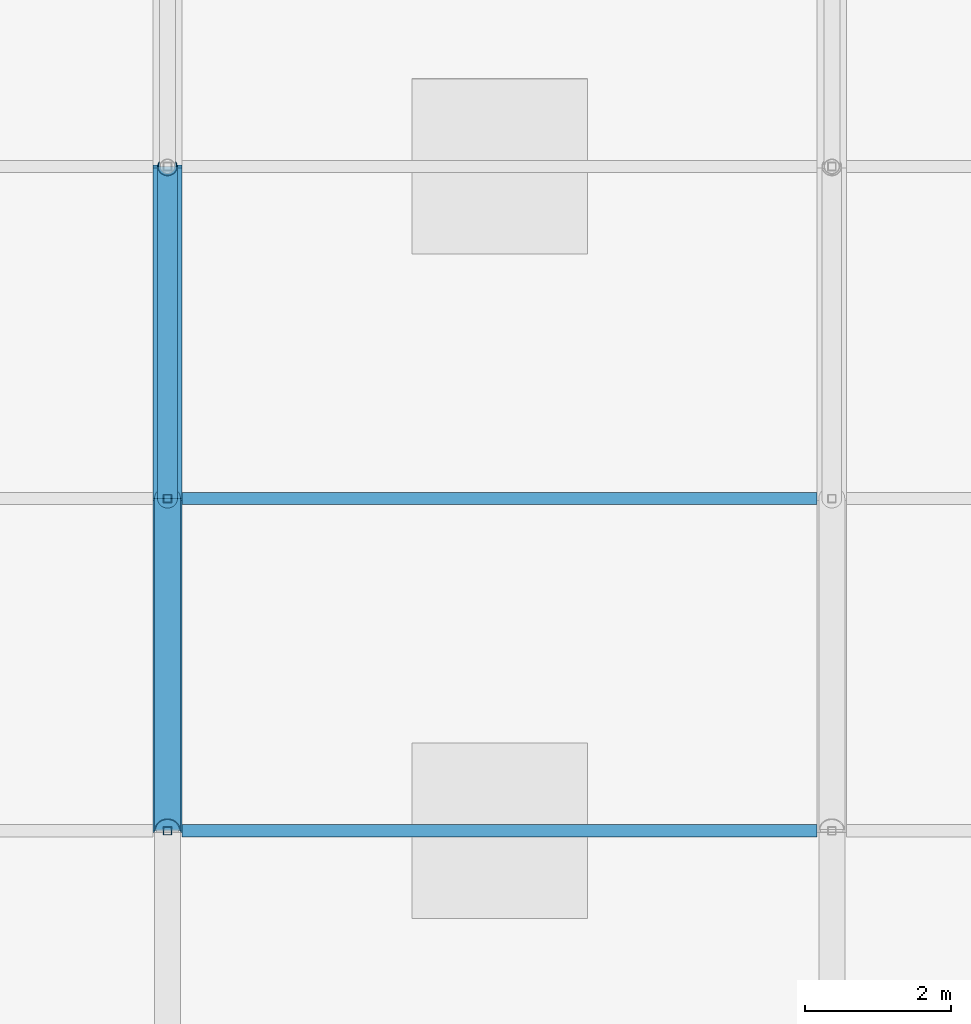
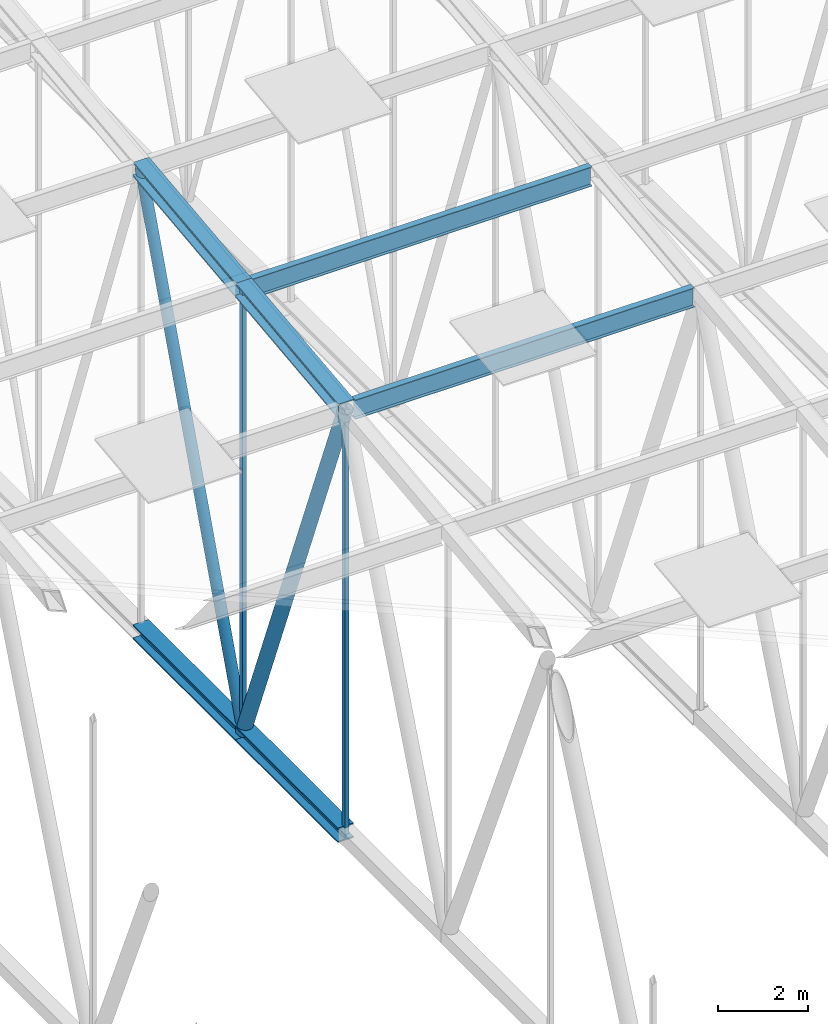
# One storey, part 131 of 500: 10 members.
"""IFC4 building model written with IfcOpenShell, lengths in metres."""

from ifc_helpers import new_model, si_unit, direction, frame, origin, origin_2d, place, context, subcontext, project, spatial, hollow_rectangle, hollow_circle, i_section, extrude, material, material_profile, profile_set, type_object, element, save


model = new_model("IFC4")

# Units and contexts
model_context = context("Model", 3, precision=1e-05, world=origin(), true_north=direction((0.0, 1.0)))
body_context = subcontext(model_context, "Body", "Model", "MODEL_VIEW")
ifc_project = project(units=[si_unit("LENGTHUNIT", "METRE"), si_unit("AREAUNIT", "SQUARE_METRE"), si_unit("VOLUMEUNIT", "CUBIC_METRE"), si_unit("PLANEANGLEUNIT", "RADIAN"), si_unit("MASSUNIT", "GRAM", prefix="KILO")], contexts=[model_context])

# Site, building, storey
site_placement = place(None, origin())
site = spatial("IfcSite", under=ifc_project, at=site_placement, CompositionType="ELEMENT")
building_placement = place(site_placement, origin())
building = spatial("IfcBuilding", under=site, at=building_placement, Name="Shirokan Park Arena", CompositionType="ELEMENT")
storey_placement = place(building_placement, frame((0.0, 0.0, 29.1201171875)))
storey = spatial("IfcBuildingStorey", under=building, at=storey_placement, Name="L06", CompositionType="ELEMENT", Elevation=29.1201171875)

# Members
ifc_material_1 = material(Name="Steel ASTM A992", Category="steel")
ifc_material_profile_1 = material_profile(ifc_material_1, i_section(OverallWidth=0.40087890625, OverallDepth=0.39892578125, WebThickness=0.02490234375, FlangeThickness=0.03955078125, at=origin_2d()), Name="W360X314")
ifc_profile_set_1 = profile_set([ifc_material_profile_1], Name="Steel ASTM A992")
member_type_1 = type_object("IfcMemberType", Name="Bottom chord W360X314", PredefinedType="CHORD", material=ifc_profile_set_1)
member_1_placement = place(storey_placement, frame((63.699951171875, 31.85009765625, 4.677001953125), z_axis=(0.0, 1.0, 0.0), x_axis=(-1.0, 0.0, 0.0)))
element("IfcMember", 1, at=member_1_placement, inside=storey, type_object=member_type_1, Name="Truss T08 bottom chord 10", PredefinedType="CHORD", context=body_context, shape_type="SweptSolid", body=[
    extrude(i_section(OverallWidth=0.40087890625, OverallDepth=0.39892578125, WebThickness=0.02490234375, FlangeThickness=0.03955078125, at=origin_2d()), origin(), (0.0, 0.0, 1.0), 4.5498046875),
])
member_2_placement = place(storey_placement, frame((63.699951171875, 36.39990234375, 4.677001953125), z_axis=(0.0, 1.0, 0.0), x_axis=(-1.0, 0.0, 0.0)))
element("IfcMember", 2, at=member_2_placement, inside=storey, type_object=member_type_1, Name="Truss T08 bottom chord 11", PredefinedType="CHORD", context=body_context, shape_type="SweptSolid", body=[
    extrude(i_section(OverallWidth=0.40087890625, OverallDepth=0.39892578125, WebThickness=0.02490234375, FlangeThickness=0.03955078125, at=origin_2d()), origin(), (0.0, 0.0, 1.0), 4.550048828125),
])
ifc_material_profile_2 = material_profile(ifc_material_1, i_section(OverallWidth=0.166015625, OverallDepth=0.528076171875, WebThickness=0.009765625, FlangeThickness=0.013671875, at=origin_2d()), Name="W530X74")
ifc_profile_set_2 = profile_set([ifc_material_profile_2], Name="Steel ASTM A992")
member_type_2 = type_object("IfcMemberType", Name="Purlin W530X74", PredefinedType="PURLIN", material=ifc_profile_set_2)
for number, where, z_axis, x_axis, name in (
    (3, (63.900390625, 31.85009765625, 16.1259765625), (1.0, 0.0, 0.0), (0.0, 1.0, 0.0), "Purlin 10 bay 8"),
    (4, (63.900390625, 36.39990234375, 16.64599609375), (1.0, 0.0, 0.0), (0.0, 1.0, 0.0), "Purlin 11 bay 8"),
):
    element("IfcMember", number, at=place(storey_placement, frame(where, z_axis=z_axis, x_axis=x_axis)), inside=storey, type_object=member_type_2, Name=name, PredefinedType="PURLIN", context=body_context, shape_type="SweptSolid", body=[
        extrude(i_section(OverallWidth=0.166015625, OverallDepth=0.528076171875, WebThickness=0.009765625, FlangeThickness=0.013671875, at=origin_2d()), origin(), (0.0, 0.0, 1.0), 8.69921875),
    ])
ifc_material_profile_3 = material_profile(ifc_material_1, i_section(OverallWidth=0.40087890625, OverallDepth=0.39892578125, WebThickness=0.02490234375, FlangeThickness=0.03955078125, at=origin_2d()), Name="W360X314")
ifc_profile_set_3 = profile_set([ifc_material_profile_3], Name="Steel ASTM A992")
member_type_3 = type_object("IfcMemberType", Name="Top chord W360X314", PredefinedType="CHORD", material=ifc_profile_set_3)
member_3_placement = place(storey_placement, frame((63.699951171875, 31.85009765625, 16.181396484375), z_axis=(0.0, 0.993531641592, 0.11355561261), x_axis=(-1.0, 0.0, 0.0)))
element("IfcMember", 5, at=member_3_placement, inside=storey, type_object=member_type_3, Name="Truss T08 top chord 10", PredefinedType="CHORD", context=body_context, shape_type="SweptSolid", body=[
    extrude(i_section(OverallWidth=0.40087890625, OverallDepth=0.39892578125, WebThickness=0.02490234375, FlangeThickness=0.03955078125, at=origin_2d()), origin(), (0.0, 0.0, 1.0), 4.579345703125),
])
member_4_placement = place(storey_placement, frame((63.699951171875, 36.39990234375, 16.701416015625), z_axis=(0.0, 0.993532328996, 0.113549598152), x_axis=(-1.0, 0.0, 0.0)))
element("IfcMember", 6, at=member_4_placement, inside=storey, type_object=member_type_3, Name="Truss T08 top chord 11", PredefinedType="CHORD", context=body_context, shape_type="SweptSolid", body=[
    extrude(i_section(OverallWidth=0.40087890625, OverallDepth=0.39892578125, WebThickness=0.02490234375, FlangeThickness=0.03955078125, at=origin_2d()), origin(), (0.0, 0.0, 1.0), 4.57958984375),
])
ifc_material_2 = material(Name="Steel ASTM A500 Grade C", Category="steel")
ifc_material_profile_4 = material_profile(ifc_material_2, hollow_circle(Radius=0.136474609375, WallThickness=0.009521484375, at=origin_2d()), Name="HSS273.1X9.5")
ifc_profile_set_4 = profile_set([ifc_material_profile_4], Name="Steel ASTM A500 Grade C")
member_type_4 = type_object("IfcMemberType", Name="Truss diagonal HSS273.1X9.5", PredefinedType="BRACE", material=ifc_profile_set_4)
member_5_placement = place(storey_placement, frame((63.699951171875, 36.39990234375, 4.677001953125), z_axis=(0.0, 0.340977600467, 0.94007142068), x_axis=(-1.0, 0.0, 0.0)))
element("IfcMember", 7, at=member_5_placement, inside=storey, type_object=member_type_4, Name="Truss T08 diagonal 11", PredefinedType="BRACE", context=body_context, shape_type="SweptSolid", body=[
    extrude(hollow_circle(Radius=0.136474609375, WallThickness=0.009521484375, at=origin_2d()), origin(), (0.0, 0.0, 1.0), 13.34423828125),
])
ifc_material_profile_5 = material_profile(ifc_material_2, hollow_circle(Radius=0.177978515625, WallThickness=0.0126953125, at=origin_2d()), Name="HSS355.6X12.7")
ifc_profile_set_5 = profile_set([ifc_material_profile_5], Name="Steel ASTM A500 Grade C")
member_type_5 = type_object("IfcMemberType", Name="Truss diagonal HSS355.6X12.7", PredefinedType="BRACE", material=ifc_profile_set_5)
member_6_placement = place(storey_placement, frame((63.699951171875, 31.85009765625, 16.181396484375), z_axis=(0.0, 0.367767637573, -0.929917719346), x_axis=(-1.0, 0.0, 0.0)))
element("IfcMember", 8, at=member_6_placement, inside=storey, type_object=member_type_5, Name="Truss T08 diagonal 10", PredefinedType="BRACE", context=body_context, shape_type="SweptSolid", body=[
    extrude(hollow_circle(Radius=0.177978515625, WallThickness=0.0126953125, at=origin_2d()), origin(), (0.0, 0.0, 1.0), 12.371337890625),
])
ifc_material_profile_6 = material_profile(ifc_material_2, hollow_rectangle(XDim=0.114013671875, YDim=0.114013671875, WallThickness=0.00634765625, at=origin_2d()), Name="HSS114.3X114.3X6.4")
ifc_profile_set_6 = profile_set([ifc_material_profile_6], Name="Steel ASTM A500 Grade C")
member_type_6 = type_object("IfcMemberType", Name="Truss post HSS114.3X114.3X6.4", PredefinedType="POST", material=ifc_profile_set_6)
member_7_placement = place(storey_placement, frame((63.699951171875, 31.85009765625, 4.677001953125), z_axis=(0.0, 0.0, 1.0), x_axis=(1.0, 0.0, 0.0)))
element("IfcMember", 9, at=member_7_placement, inside=storey, type_object=member_type_6, Name="Truss T08 post 10", PredefinedType="POST", context=body_context, shape_type="SweptSolid", body=[
    extrude(hollow_rectangle(XDim=0.114013671875, YDim=0.114013671875, WallThickness=0.00634765625, at=origin_2d()), origin(), (0.0, 0.0, 1.0), 11.50439453125),
])
member_8_placement = place(storey_placement, frame((63.699951171875, 36.39990234375, 4.677001953125), z_axis=(0.0, 0.0, 1.0), x_axis=(1.0, 0.0, 0.0)))
element("IfcMember", 10, at=member_8_placement, inside=storey, type_object=member_type_6, Name="Truss T08 post 11", PredefinedType="POST", context=body_context, shape_type="SweptSolid", body=[
    extrude(hollow_rectangle(XDim=0.114013671875, YDim=0.114013671875, WallThickness=0.00634765625, at=origin_2d()), origin(), (0.0, 0.0, 1.0), 12.0244140625),
])

save(model, "model.ifc")
